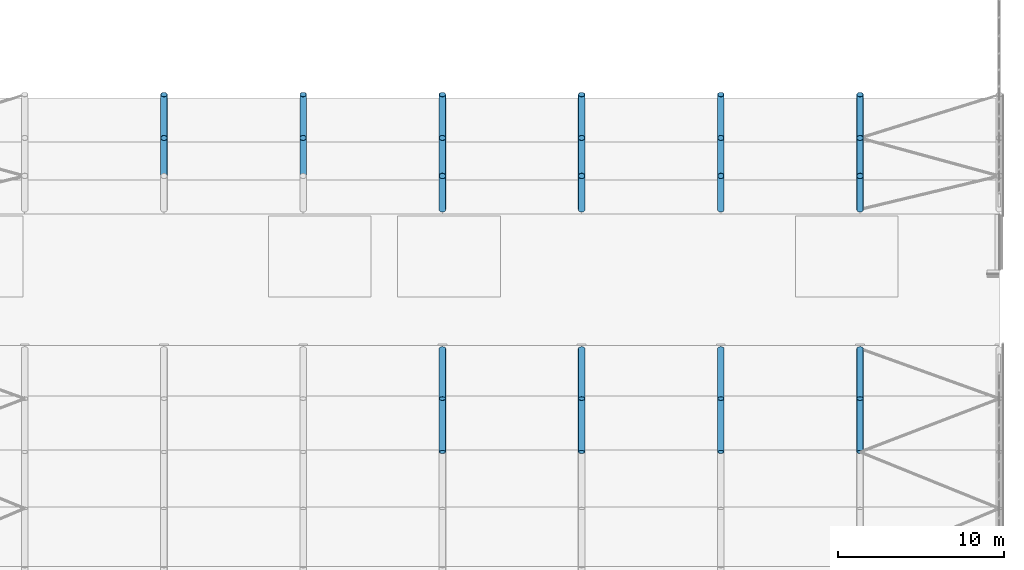
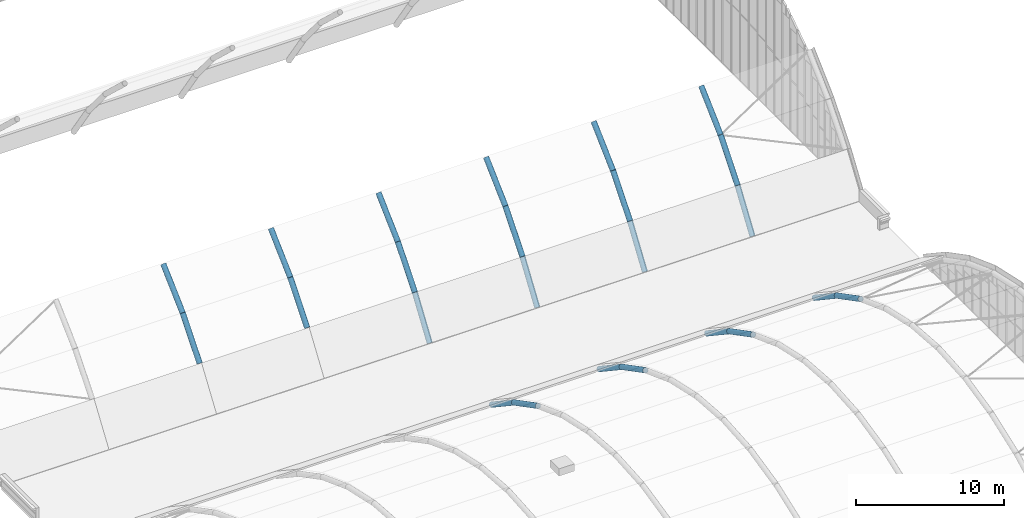
# One storey, part 17 of 77: 24 members.
"""IFC4 building model written with IfcOpenShell, lengths in metres."""

from ifc_helpers import new_model, si_unit, direction, frame, origin, origin_2d, place, context, subcontext, project, spatial, hollow_circle, extrude, material, material_profile, profile_set, type_object, element, save


model = new_model("IFC4")

# Units and contexts
model_context = context("Model", 3, precision=1e-05, world=origin(), true_north=direction((0.0, 1.0)))
body_context = subcontext(model_context, "Body", "Model", "MODEL_VIEW")
ifc_project = project(units=[si_unit("LENGTHUNIT", "METRE"), si_unit("AREAUNIT", "SQUARE_METRE"), si_unit("VOLUMEUNIT", "CUBIC_METRE"), si_unit("PLANEANGLEUNIT", "RADIAN"), si_unit("MASSUNIT", "GRAM", prefix="KILO")], contexts=[model_context])

# Site, building, storey
site_placement = place(None, origin())
site = spatial("IfcSite", under=ifc_project, at=site_placement, CompositionType="ELEMENT")
building_placement = place(site_placement, origin())
building = spatial("IfcBuilding", under=site, at=building_placement, Name="Catenary Quay Ferry Terminal", CompositionType="ELEMENT")
storey_placement = place(building_placement, frame((0.0, 0.0, 10.800048828125)))
storey = spatial("IfcBuildingStorey", under=building, at=storey_placement, Name="L02", CompositionType="ELEMENT", Elevation=10.800048828125)

# Members
ifc_material = material(Name="Steel S355", Category="steel")
ifc_material_profile = material_profile(ifc_material, hollow_circle(Radius=0.203125, WallThickness=0.01611328125, at=origin_2d()), Name="CHS 406.4x16")
ifc_profile_set = profile_set([ifc_material_profile], Name="Steel S355")
member_type = type_object("IfcMemberType", Name="VR3 CHS 406.4x16", PredefinedType="RAFTER", material=ifc_profile_set)
for number, where, z_axis, x_axis, name in (
    (1, (58.800048828125, 94.56201171875, 3.683837890625), (0.0, 0.887609848797, -0.460596088041), (-1.0, 0.0, 0.0), "Vault rib VA-05-09"),
    (2, (58.800048828125, 97.781982421875, 2.012939453125), (0.0, 0.831936388081, -0.554871017613), (-1.0, 0.0, 0.0), "Vault rib VA-05-10"),
    (3, (67.199951171875, 94.56201171875, 3.683837890625), (0.0, 0.887609848797, -0.460596088041), (-1.0, 0.0, 0.0), "Vault rib VA-06-09"),
    (4, (67.199951171875, 97.781982421875, 2.012939453125), (0.0, 0.831936388081, -0.554871017613), (-1.0, 0.0, 0.0), "Vault rib VA-06-10"),
    (5, (75.60009765625, 94.56201171875, 3.683837890625), (0.0, 0.887609848797, -0.460596088041), (-1.0, 0.0, 0.0), "Vault rib VA-07-09"),
    (6, (75.60009765625, 97.781982421875, 2.012939453125), (0.0, 0.831936388081, -0.554871017613), (-1.0, 0.0, 0.0), "Vault rib VA-07-10"),
    (7, (84.0, 94.56201171875, 3.683837890625), (0.0, 0.887609848797, -0.460596088041), (-1.0, 0.0, 0.0), "Vault rib VA-08-09"),
    (8, (84.0, 97.781982421875, 2.012939453125), (0.0, 0.831936388081, -0.554871017613), (-1.0, 0.0, 0.0), "Vault rib VA-08-10"),
):
    element("IfcMember", number, at=place(storey_placement, frame(where, z_axis=z_axis, x_axis=x_axis)), inside=storey, type_object=member_type, Name=name, PredefinedType="RAFTER", context=body_context, shape_type="SweptSolid", body=[
        extrude(hollow_circle(Radius=0.203125, WallThickness=0.01611328125, at=origin_2d()), origin(), (0.0, 0.0, 1.0), 3.627685546875),
    ])
member_1_placement = place(storey_placement, frame((42.0, 111.215087890625, 2.970947265625), z_axis=(0.0, 0.638329973705, 0.769762849629), x_axis=(-1.0, 0.0, 0.0)))
element("IfcMember", 9, at=member_1_placement, inside=storey, type_object=member_type, Name="Vault rib VD-03-02", PredefinedType="RAFTER", context=body_context, shape_type="SweptSolid", body=[
    extrude(hollow_circle(Radius=0.203125, WallThickness=0.01611328125, at=origin_2d()), origin(), (0.0, 0.0, 1.0), 3.590576171875),
])
member_2_placement = place(storey_placement, frame((42.0, 113.507080078125, 5.73486328125), z_axis=(0.0, 0.729556292242, 0.683920767669), x_axis=(-1.0, 0.0, 0.0)))
element("IfcMember", 10, at=member_2_placement, inside=storey, type_object=member_type, Name="Vault rib VD-03-03", PredefinedType="RAFTER", context=body_context, shape_type="SweptSolid", body=[
    extrude(hollow_circle(Radius=0.203125, WallThickness=0.01611328125, at=origin_2d()), origin(), (0.0, 0.0, 1.0), 3.589599609375),
])
member_3_placement = place(storey_placement, frame((50.39990234375, 111.215087890625, 2.970947265625), z_axis=(0.0, 0.638329973705, 0.769762849629), x_axis=(-1.0, 0.0, 0.0)))
element("IfcMember", 11, at=member_3_placement, inside=storey, type_object=member_type, Name="Vault rib VD-04-02", PredefinedType="RAFTER", context=body_context, shape_type="SweptSolid", body=[
    extrude(hollow_circle(Radius=0.203125, WallThickness=0.01611328125, at=origin_2d()), origin(), (0.0, 0.0, 1.0), 3.590576171875),
])
member_4_placement = place(storey_placement, frame((50.39990234375, 113.507080078125, 5.73486328125), z_axis=(0.0, 0.729556292242, 0.683920767669), x_axis=(-1.0, 0.0, 0.0)))
element("IfcMember", 12, at=member_4_placement, inside=storey, type_object=member_type, Name="Vault rib VD-04-03", PredefinedType="RAFTER", context=body_context, shape_type="SweptSolid", body=[
    extrude(hollow_circle(Radius=0.203125, WallThickness=0.01611328125, at=origin_2d()), origin(), (0.0, 0.0, 1.0), 3.589599609375),
])
member_5_placement = place(storey_placement, frame((58.800048828125, 109.199951171875, 0.0), z_axis=(0.0, 0.561336762899, 0.827587480945), x_axis=(-1.0, 0.0, 0.0)))
element("IfcMember", 13, at=member_5_placement, inside=storey, type_object=member_type, Name="Vault rib VD-05-01", PredefinedType="RAFTER", context=body_context, shape_type="SweptSolid", body=[
    extrude(hollow_circle(Radius=0.203125, WallThickness=0.01611328125, at=origin_2d()), origin(), (0.0, 0.0, 1.0), 3.58984375),
])
member_6_placement = place(storey_placement, frame((58.800048828125, 111.215087890625, 2.970947265625), z_axis=(0.0, 0.638329973705, 0.769762849629), x_axis=(-1.0, 0.0, 0.0)))
element("IfcMember", 14, at=member_6_placement, inside=storey, type_object=member_type, Name="Vault rib VD-05-02", PredefinedType="RAFTER", context=body_context, shape_type="SweptSolid", body=[
    extrude(hollow_circle(Radius=0.203125, WallThickness=0.01611328125, at=origin_2d()), origin(), (0.0, 0.0, 1.0), 3.590576171875),
])
member_7_placement = place(storey_placement, frame((58.800048828125, 113.507080078125, 5.73486328125), z_axis=(0.0, 0.729556292242, 0.683920767669), x_axis=(-1.0, 0.0, 0.0)))
element("IfcMember", 15, at=member_7_placement, inside=storey, type_object=member_type, Name="Vault rib VD-05-03", PredefinedType="RAFTER", context=body_context, shape_type="SweptSolid", body=[
    extrude(hollow_circle(Radius=0.203125, WallThickness=0.01611328125, at=origin_2d()), origin(), (0.0, 0.0, 1.0), 3.589599609375),
])
member_8_placement = place(storey_placement, frame((67.199951171875, 109.199951171875, 0.0), z_axis=(0.0, 0.561336762899, 0.827587480945), x_axis=(-1.0, 0.0, 0.0)))
element("IfcMember", 16, at=member_8_placement, inside=storey, type_object=member_type, Name="Vault rib VD-06-01", PredefinedType="RAFTER", context=body_context, shape_type="SweptSolid", body=[
    extrude(hollow_circle(Radius=0.203125, WallThickness=0.01611328125, at=origin_2d()), origin(), (0.0, 0.0, 1.0), 3.58984375),
])
member_9_placement = place(storey_placement, frame((67.199951171875, 111.215087890625, 2.970947265625), z_axis=(0.0, 0.638329973705, 0.769762849629), x_axis=(-1.0, 0.0, 0.0)))
element("IfcMember", 17, at=member_9_placement, inside=storey, type_object=member_type, Name="Vault rib VD-06-02", PredefinedType="RAFTER", context=body_context, shape_type="SweptSolid", body=[
    extrude(hollow_circle(Radius=0.203125, WallThickness=0.01611328125, at=origin_2d()), origin(), (0.0, 0.0, 1.0), 3.590576171875),
])
member_10_placement = place(storey_placement, frame((67.199951171875, 113.507080078125, 5.73486328125), z_axis=(0.0, 0.729556292242, 0.683920767669), x_axis=(-1.0, 0.0, 0.0)))
element("IfcMember", 18, at=member_10_placement, inside=storey, type_object=member_type, Name="Vault rib VD-06-03", PredefinedType="RAFTER", context=body_context, shape_type="SweptSolid", body=[
    extrude(hollow_circle(Radius=0.203125, WallThickness=0.01611328125, at=origin_2d()), origin(), (0.0, 0.0, 1.0), 3.589599609375),
])
member_11_placement = place(storey_placement, frame((75.60009765625, 109.199951171875, 0.0), z_axis=(0.0, 0.561336762899, 0.827587480945), x_axis=(-1.0, 0.0, 0.0)))
element("IfcMember", 19, at=member_11_placement, inside=storey, type_object=member_type, Name="Vault rib VD-07-01", PredefinedType="RAFTER", context=body_context, shape_type="SweptSolid", body=[
    extrude(hollow_circle(Radius=0.203125, WallThickness=0.01611328125, at=origin_2d()), origin(), (0.0, 0.0, 1.0), 3.58984375),
])
member_12_placement = place(storey_placement, frame((75.60009765625, 111.215087890625, 2.970947265625), z_axis=(0.0, 0.638329973705, 0.769762849629), x_axis=(-1.0, 0.0, 0.0)))
element("IfcMember", 20, at=member_12_placement, inside=storey, type_object=member_type, Name="Vault rib VD-07-02", PredefinedType="RAFTER", context=body_context, shape_type="SweptSolid", body=[
    extrude(hollow_circle(Radius=0.203125, WallThickness=0.01611328125, at=origin_2d()), origin(), (0.0, 0.0, 1.0), 3.590576171875),
])
member_13_placement = place(storey_placement, frame((75.60009765625, 113.507080078125, 5.73486328125), z_axis=(0.0, 0.729556292242, 0.683920767669), x_axis=(-1.0, 0.0, 0.0)))
element("IfcMember", 21, at=member_13_placement, inside=storey, type_object=member_type, Name="Vault rib VD-07-03", PredefinedType="RAFTER", context=body_context, shape_type="SweptSolid", body=[
    extrude(hollow_circle(Radius=0.203125, WallThickness=0.01611328125, at=origin_2d()), origin(), (0.0, 0.0, 1.0), 3.589599609375),
])
member_14_placement = place(storey_placement, frame((84.0, 109.199951171875, 0.0), z_axis=(0.0, 0.561336762899, 0.827587480945), x_axis=(-1.0, 0.0, 0.0)))
element("IfcMember", 22, at=member_14_placement, inside=storey, type_object=member_type, Name="Vault rib VD-08-01", PredefinedType="RAFTER", context=body_context, shape_type="SweptSolid", body=[
    extrude(hollow_circle(Radius=0.203125, WallThickness=0.01611328125, at=origin_2d()), origin(), (0.0, 0.0, 1.0), 3.58984375),
])
member_15_placement = place(storey_placement, frame((84.0, 111.215087890625, 2.970947265625), z_axis=(0.0, 0.638329973705, 0.769762849629), x_axis=(-1.0, 0.0, 0.0)))
element("IfcMember", 23, at=member_15_placement, inside=storey, type_object=member_type, Name="Vault rib VD-08-02", PredefinedType="RAFTER", context=body_context, shape_type="SweptSolid", body=[
    extrude(hollow_circle(Radius=0.203125, WallThickness=0.01611328125, at=origin_2d()), origin(), (0.0, 0.0, 1.0), 3.590576171875),
])
member_16_placement = place(storey_placement, frame((84.0, 113.507080078125, 5.73486328125), z_axis=(0.0, 0.729556292242, 0.683920767669), x_axis=(-1.0, 0.0, 0.0)))
element("IfcMember", 24, at=member_16_placement, inside=storey, type_object=member_type, Name="Vault rib VD-08-03", PredefinedType="RAFTER", context=body_context, shape_type="SweptSolid", body=[
    extrude(hollow_circle(Radius=0.203125, WallThickness=0.01611328125, at=origin_2d()), origin(), (0.0, 0.0, 1.0), 3.589599609375),
])

save(model, "model.ifc")
